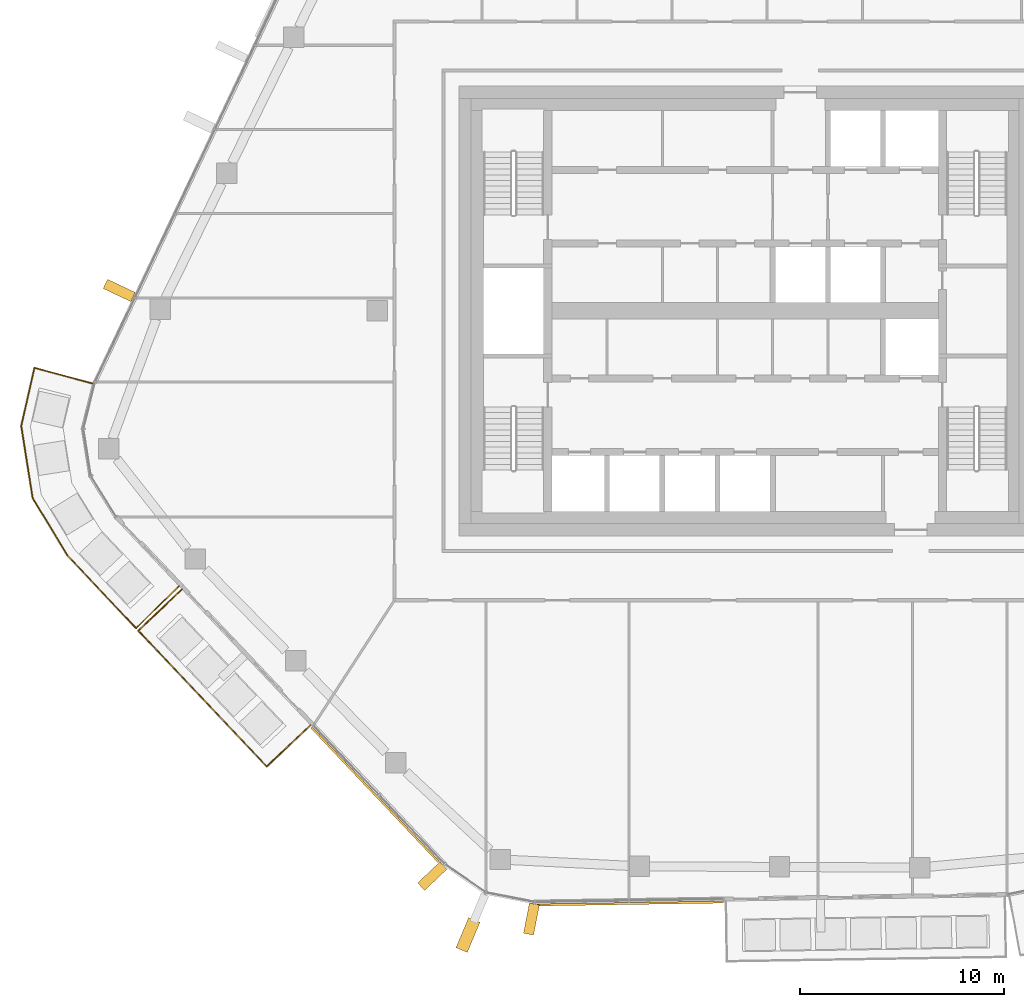
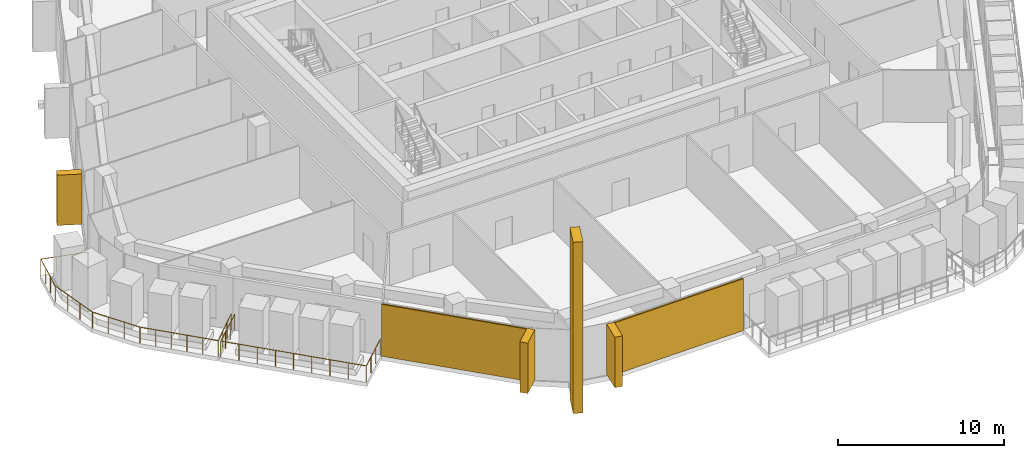
# One storey, part 18 of 24: 6 coverings, 2 railings, 4 elements without a shape of their own.
"""IFC4 building model written with IfcOpenShell, lengths in metres."""

from ifc_helpers import new_model, si_unit, direction, frame, origin, origin_2d, place, context, subcontext, project, spatial, rectangle, circle, extrude, material, layer, layer_set, material_profile, profile_set, type_object, element, aggregate, save


model = new_model("IFC4")

# Units and contexts
model_context = context("Model", 3, precision=1e-05, world=origin(), true_north=direction((0.0, 1.0)))
body_context = subcontext(model_context, "Body", "Model", "MODEL_VIEW")
ifc_project = project(units=[si_unit("LENGTHUNIT", "METRE"), si_unit("AREAUNIT", "SQUARE_METRE"), si_unit("VOLUMEUNIT", "CUBIC_METRE"), si_unit("PLANEANGLEUNIT", "RADIAN"), si_unit("MASSUNIT", "GRAM", prefix="KILO")], contexts=[model_context])

# Site, building, storey
site_placement = place(None, origin())
site = spatial("IfcSite", under=ifc_project, at=site_placement, CompositionType="ELEMENT")
building_placement = place(site_placement, origin())
building = spatial("IfcBuilding", under=site, at=building_placement, Name="Dongbaek Canopy Tower", CompositionType="ELEMENT")
storey_placement = place(building_placement, frame((0.0, 0.0, 294.199951171875)))
storey = spatial("IfcBuildingStorey", under=building, at=storey_placement, Name="L62", CompositionType="ELEMENT", Elevation=294.199951171875)

# Railings
ifc_material_1 = material(Name="Stainless steel", Category="steel")
railing_type = type_object("IfcRailingType", Name="Balcony balustrade 1200", PredefinedType="BALUSTRADE", material=ifc_material_1)
railing_1_placement = place(storey_placement, frame((-27.540283203125, -13.619384765625, 0.0)))
element("IfcRailing", 1, at=railing_1_placement, inside=storey, type_object=railing_type, Name="Balcony guard L62 3", PredefinedType="BALUSTRADE", context=body_context, shape_type="SweptSolid", body=[
    extrude(circle(Radius=0.02392578125, at=origin_2d()), frame((0.0, 0.0, 1.17578125), z_axis=(-0.726351881447, -0.687323027636, 0.0), x_axis=(0.687323027636, -0.726351881447, 0.0)), (0.0, 0.0, 1.0), 2.93994140625),
    extrude(circle(Radius=0.02392578125, at=origin_2d()), frame((-2.135498046875, -2.020751953125, 1.17578125), z_axis=(0.687311098706, -0.726363169217, 0.0), x_axis=(0.726363169217, 0.687311098706, 0.0)), (0.0, 0.0, 1.0), 9.139892578125),
    extrude(circle(Radius=0.02392578125, at=origin_2d()), frame((4.146484375, -8.65966796875, 1.17578125), z_axis=(0.726351881447, 0.687323027636, 0.0), x_axis=(-0.687323027636, 0.726351881447, 0.0)), (0.0, 0.0, 1.0), 2.93994140625),
    extrude(circle(Radius=0.02099609375, at=origin_2d()), origin(), (0.0, 0.0, 1.0), 1.15185546875),
    extrude(circle(Radius=0.02099609375, at=origin_2d()), frame((-0.7119140625, -0.673583984375, 0.0)), (0.0, 0.0, 1.0), 1.15185546875),
    extrude(circle(Radius=0.02099609375, at=origin_2d()), frame((-1.423583984375, -1.34716796875, 0.0)), (0.0, 0.0, 1.0), 1.15185546875),
    extrude(circle(Radius=0.02099609375, at=origin_2d()), frame((-2.135498046875, -2.020751953125, 0.0)), (0.0, 0.0, 1.0), 1.15185546875),
    extrude(circle(Radius=0.02099609375, at=origin_2d()), frame((-1.350341796875, -2.8505859375, 0.0)), (0.0, 0.0, 1.0), 1.15185546875),
    extrude(circle(Radius=0.02099609375, at=origin_2d()), frame((-0.56494140625, -3.680419921875, 0.0)), (0.0, 0.0, 1.0), 1.15185546875),
    extrude(circle(Radius=0.02099609375, at=origin_2d()), frame((0.22021484375, -4.51025390625, 0.0)), (0.0, 0.0, 1.0), 1.15185546875),
    extrude(circle(Radius=0.02099609375, at=origin_2d()), frame((1.00537109375, -5.34033203125, 0.0)), (0.0, 0.0, 1.0), 1.15185546875),
    extrude(circle(Radius=0.02099609375, at=origin_2d()), frame((1.790771484375, -6.170166015625, 0.0)), (0.0, 0.0, 1.0), 1.15185546875),
    extrude(circle(Radius=0.02099609375, at=origin_2d()), frame((2.575927734375, -7.0, 0.0)), (0.0, 0.0, 1.0), 1.15185546875),
    extrude(circle(Radius=0.02099609375, at=origin_2d()), frame((3.361328125, -7.829833984375, 0.0)), (0.0, 0.0, 1.0), 1.15185546875),
    extrude(circle(Radius=0.02099609375, at=origin_2d()), frame((4.146484375, -8.65966796875, 0.0)), (0.0, 0.0, 1.0), 1.15185546875),
    extrude(circle(Radius=0.02099609375, at=origin_2d()), frame((4.8583984375, -7.986083984375, 0.0)), (0.0, 0.0, 1.0), 1.15185546875),
    extrude(circle(Radius=0.02099609375, at=origin_2d()), frame((5.570068359375, -7.3125, 0.0)), (0.0, 0.0, 1.0), 1.15185546875),
    extrude(circle(Radius=0.02099609375, at=origin_2d()), frame((6.281982421875, -6.638916015625, 0.0)), (0.0, 0.0, 1.0), 1.15185546875),
])
railing_2_placement = place(storey_placement, frame((-31.92041015625, -3.548095703125, 0.0)))
element("IfcRailing", 2, at=railing_2_placement, inside=storey, type_object=railing_type, Name="Balcony guard L62 7", PredefinedType="BALUSTRADE", context=body_context, shape_type="SweptSolid", body=[
    extrude(circle(Radius=0.02392578125, at=origin_2d()), frame((0.0, 0.0, 1.17578125), z_axis=(-0.965425530821, 0.260679006516, 0.0), x_axis=(-0.260679006516, -0.965425530821, 0.0)), (0.0, 0.0, 1.0), 2.940673828125),
    extrude(circle(Radius=0.02392578125, at=origin_2d()), frame((-2.839111328125, 0.7666015625, 1.17578125), z_axis=(-0.221343008354, -0.975196017554, 0.0), x_axis=(0.975196017554, -0.221343008354, 0.0)), (0.0, 0.0, 1.0), 2.921875),
    extrude(circle(Radius=0.02392578125, at=origin_2d()), frame((-3.48583984375, -2.082763671875, 1.17578125), z_axis=(0.156456100519, -0.987684913629, 0.0), x_axis=(0.987684913629, 0.156456100519, 0.0)), (0.0, 0.0, 1.0), 3.55615234375),
    extrude(circle(Radius=0.02392578125, at=origin_2d()), frame((-2.929443359375, -5.59521484375, 1.17578125), z_axis=(0.51765867855, -0.855587220873, 0.0), x_axis=(0.855587220873, 0.51765867855, 0.0)), (0.0, 0.0, 1.0), 3.265625),
    extrude(circle(Radius=0.02392578125, at=origin_2d()), frame((-1.239013671875, -8.38916015625, 1.17578125), z_axis=(0.685132672139, -0.72841830123, 0.0), x_axis=(0.72841830123, 0.685132672139, 0.0)), (0.0, 0.0, 1.0), 4.923828125),
    extrude(circle(Radius=0.02392578125, at=origin_2d()), frame((2.134521484375, -11.975830078125, 1.17578125), z_axis=(0.712152918215, 0.702024373564, 0.0), x_axis=(-0.702024373564, 0.712152918215, 0.0)), (0.0, 0.0, 1.0), 2.940673828125),
    extrude(circle(Radius=0.02099609375, at=origin_2d()), origin(), (0.0, 0.0, 1.0), 1.15185546875),
    extrude(circle(Radius=0.02099609375, at=origin_2d()), frame((-0.9462890625, 0.255615234375, 0.0)), (0.0, 0.0, 1.0), 1.15185546875),
    extrude(circle(Radius=0.02099609375, at=origin_2d()), frame((-1.892822265625, 0.510986328125, 0.0)), (0.0, 0.0, 1.0), 1.15185546875),
    extrude(circle(Radius=0.02099609375, at=origin_2d()), frame((-2.839111328125, 0.7666015625, 0.0)), (0.0, 0.0, 1.0), 1.15185546875),
    extrude(circle(Radius=0.02099609375, at=origin_2d()), frame((-3.0546875, -0.18310546875, 0.0)), (0.0, 0.0, 1.0), 1.15185546875),
    extrude(circle(Radius=0.02099609375, at=origin_2d()), frame((-3.270263671875, -1.133056640625, 0.0)), (0.0, 0.0, 1.0), 1.15185546875),
    extrude(circle(Radius=0.02099609375, at=origin_2d()), frame((-3.48583984375, -2.082763671875, 0.0)), (0.0, 0.0, 1.0), 1.15185546875),
    extrude(circle(Radius=0.02099609375, at=origin_2d()), frame((-3.30029296875, -3.253662109375, 0.0)), (0.0, 0.0, 1.0), 1.15185546875),
    extrude(circle(Radius=0.02099609375, at=origin_2d()), frame((-3.114990234375, -4.42431640625, 0.0)), (0.0, 0.0, 1.0), 1.15185546875),
    extrude(circle(Radius=0.02099609375, at=origin_2d()), frame((-2.929443359375, -5.59521484375, 0.0)), (0.0, 0.0, 1.0), 1.15185546875),
    extrude(circle(Radius=0.02099609375, at=origin_2d()), frame((-2.365966796875, -6.526611328125, 0.0)), (0.0, 0.0, 1.0), 1.15185546875),
    extrude(circle(Radius=0.02099609375, at=origin_2d()), frame((-1.802490234375, -7.457763671875, 0.0)), (0.0, 0.0, 1.0), 1.15185546875),
    extrude(circle(Radius=0.02099609375, at=origin_2d()), frame((-1.239013671875, -8.38916015625, 0.0)), (0.0, 0.0, 1.0), 1.15185546875),
    extrude(circle(Radius=0.02099609375, at=origin_2d()), frame((-0.564208984375, -9.1064453125, 0.0)), (0.0, 0.0, 1.0), 1.15185546875),
    extrude(circle(Radius=0.02099609375, at=origin_2d()), frame((0.1103515625, -9.82373046875, 0.0)), (0.0, 0.0, 1.0), 1.15185546875),
    extrude(circle(Radius=0.02099609375, at=origin_2d()), frame((0.78515625, -10.541259765625, 0.0)), (0.0, 0.0, 1.0), 1.15185546875),
    extrude(circle(Radius=0.02099609375, at=origin_2d()), frame((1.459716796875, -11.258544921875, 0.0)), (0.0, 0.0, 1.0), 1.15185546875),
    extrude(circle(Radius=0.02099609375, at=origin_2d()), frame((2.134521484375, -11.975830078125, 0.0)), (0.0, 0.0, 1.0), 1.15185546875),
    extrude(circle(Radius=0.02099609375, at=origin_2d()), frame((2.83251953125, -11.28759765625, 0.0)), (0.0, 0.0, 1.0), 1.15185546875),
    extrude(circle(Radius=0.02099609375, at=origin_2d()), frame((3.53076171875, -10.599609375, 0.0)), (0.0, 0.0, 1.0), 1.15185546875),
    extrude(circle(Radius=0.02099609375, at=origin_2d()), frame((4.228759765625, -9.911376953125, 0.0)), (0.0, 0.0, 1.0), 1.15185546875),
])

# Curtain wall, covering
ifc_material_2 = material(Name="Aluminium 6063-T6 pale anodised", Category="aluminium")
ifc_layer_1 = layer(ifc_material_2, 0.199951171875)
ifc_layer_set_1 = layer_set([ifc_layer_1], Name="CW-1 unitised tower curtain wall")
curtain_wall_type = type_object("IfcCurtainWallType", Name="CW-1 unitised tower curtain wall", PredefinedType="NOTDEFINED", material=ifc_layer_set_1)
curtain_wall_1_placement = place(storey_placement, origin())
curtain_wall_1 = element("IfcCurtainWall", 3, at=curtain_wall_1_placement, inside=storey, type_object=curtain_wall_type, Name="CW-1 curtain wall K4.1", PredefinedType="NOTDEFINED")
ifc_material_3 = material(Name="Aluminium 6063-T6 pale metal fin", Category="aluminium")
ifc_material_profile_1 = material_profile(ifc_material_3, rectangle(XDim=1.60009765625, YDim=0.60009765625, at=origin_2d()), Name="Corner fin CN1 600 x 1600 pale metal")
ifc_profile_set_1 = profile_set([ifc_material_profile_1], Name="Aluminium 6063-T6 pale metal fin")
covering_type_1 = type_object("IfcCoveringType", Name="Corner fin CN1 600 x 1600 pale metal", PredefinedType="CLADDING", material=ifc_profile_set_1)
covering_1_placement = place(storey_placement, frame((-13.5546875, -30.52392578125, -0.18994140625), z_axis=(0.0, 0.0, 1.0), x_axis=(-0.388183200954, -0.921582227746, 0.0)))
covering_1 = element("IfcCovering", 4, at=covering_1_placement, type_object=covering_type_1, Name="Corner fin L62 L64 K4", PredefinedType="CLADDING", context=body_context, shape_type="SweptSolid", body=[
    extrude(rectangle(XDim=1.60009765625, YDim=0.60009765625, at=origin_2d()), origin(), (0.0, 0.0, 1.0), 12.580078125),
])

curtain_wall_2_placement = place(storey_placement, origin())
curtain_wall_2 = element("IfcCurtainWall", 5, at=curtain_wall_2_placement, inside=storey, type_object=curtain_wall_type, Name="CW-1 curtain wall F3.1", PredefinedType="NOTDEFINED")
ifc_material_4 = material(Name="Perforated aluminium 6063-T6 pale metal screen", Category="aluminium")
ifc_layer_2 = layer(ifc_material_4, 0.10009765625)
ifc_layer_set_2 = layer_set([ifc_layer_2], Name="Facet screen FS1 100 pale metal")
covering_type_2 = type_object("IfcCoveringType", Name="Facet screen FS1 100 pale metal", PredefinedType="CLADDING", material=ifc_layer_set_2)
covering_2_placement = place(storey_placement, frame((-18.1025390625, -23.66015625, 0.0), z_axis=(0.0, 0.0, 1.0), x_axis=(0.687319540255, -0.726355181425, 0.0)))
covering_2 = element("IfcCovering", 6, at=covering_2_placement, type_object=covering_type_2, Name="Facet screen L62 F3", PredefinedType="CLADDING", context=body_context, shape_type="SweptSolid", body=[
    extrude(rectangle(XDim=9.059814453125, YDim=0.10009765625, at=origin_2d()), origin(), (0.0, 0.0, 1.0), 3.820068359375),
])

curtain_wall_3_placement = place(storey_placement, origin())
curtain_wall_3 = element("IfcCurtainWall", 7, at=curtain_wall_3_placement, inside=storey, type_object=curtain_wall_type, Name="CW-1 curtain wall F4.1", PredefinedType="NOTDEFINED")
covering_3_placement = place(storey_placement, frame((-5.61181640625, -28.98486328125, 0.0), z_axis=(0.0, 0.0, 1.0), x_axis=(0.999876988612, 0.015684630827, 0.0)))
covering_3 = element("IfcCovering", 8, at=covering_3_placement, type_object=covering_type_2, Name="Facet screen L62 F4", PredefinedType="CLADDING", context=body_context, shape_type="SweptSolid", body=[
    extrude(rectangle(XDim=9.119384765625, YDim=0.10009765625, at=origin_2d()), origin(), (0.0, 0.0, 1.0), 3.820068359375),
])
aggregate(curtain_wall_3, [covering_3])

curtain_wall_4_placement = place(storey_placement, origin())
curtain_wall_4 = element("IfcCurtainWall", 9, at=curtain_wall_4_placement, inside=storey, type_object=curtain_wall_type, Name="CW-1 curtain wall F2.1", PredefinedType="NOTDEFINED")
ifc_material_5 = material(Name="Aluminium 6063-T6 pale metal fin", Category="aluminium")
ifc_material_profile_2 = material_profile(ifc_material_5, rectangle(XDim=1.5, YDim=0.5, at=origin_2d()), Name="Fin FN1 500 x 1500 pale metal")
ifc_profile_set_2 = profile_set([ifc_material_profile_2], Name="Aluminium 6063-T6 pale metal fin")
covering_type_3 = type_object("IfcCoveringType", Name="Fin FN1 500 x 1500 pale metal", PredefinedType="CLADDING", material=ifc_profile_set_2)
covering_4_placement = place(storey_placement, frame((-30.614013671875, 1.000244140625, 0.1201171875), z_axis=(0.0, 0.0, 1.0), x_axis=(-0.903236413866, 0.429143310174, 0.0)))
covering_4 = element("IfcCovering", 10, at=covering_4_placement, type_object=covering_type_3, Name="Fin F2.1.7", PredefinedType="CLADDING", context=body_context, shape_type="SweptSolid", body=[
    extrude(rectangle(XDim=1.5, YDim=0.5, at=origin_2d()), origin(), (0.0, 0.0, 1.0), 3.699951171875),
])
aggregate(curtain_wall_4, [covering_4])

# Covering
covering_5_placement = place(storey_placement, frame((-15.30126953125, -27.644775390625, 0.1201171875), z_axis=(0.0, 0.0, 1.0), x_axis=(-0.72635486076, -0.687319879132, 0.0)))
covering_5 = element("IfcCovering", 11, at=covering_5_placement, type_object=covering_type_3, Name="Fin F3.1.3", PredefinedType="CLADDING", context=body_context, shape_type="SweptSolid", body=[
    extrude(rectangle(XDim=1.5, YDim=0.5, at=origin_2d()), origin(), (0.0, 0.0, 1.0), 3.699951171875),
])

aggregate(curtain_wall_2, [covering_5, covering_2])

covering_6_placement = place(storey_placement, frame((-10.449951171875, -29.74658203125, 0.1201171875), z_axis=(0.0, 0.0, 1.0), x_axis=(-0.190319354711, -0.981722233232, 0.0)))
covering_6 = element("IfcCovering", 12, at=covering_6_placement, type_object=covering_type_3, Name="Fin K4.1.3", PredefinedType="CLADDING", context=body_context, shape_type="SweptSolid", body=[
    extrude(rectangle(XDim=1.5, YDim=0.5, at=origin_2d()), origin(), (0.0, 0.0, 1.0), 3.699951171875),
])

aggregate(curtain_wall_1, [covering_6, covering_1])

save(model, "model.ifc")
